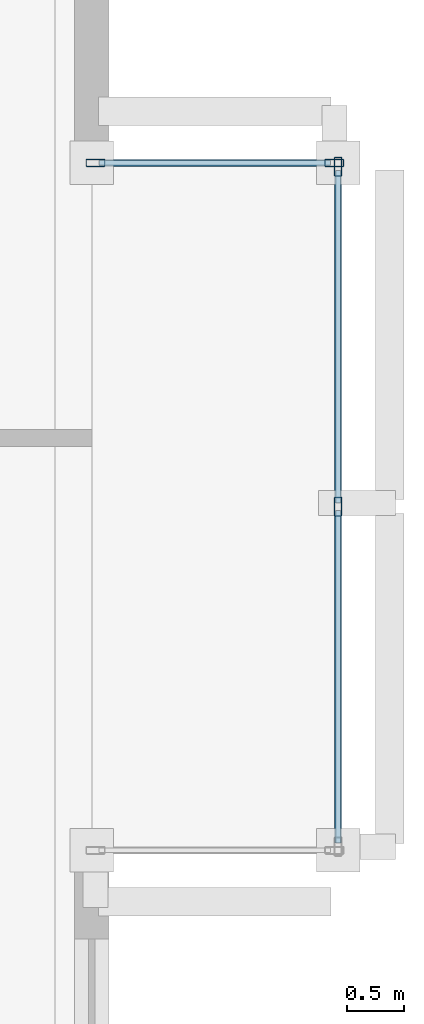
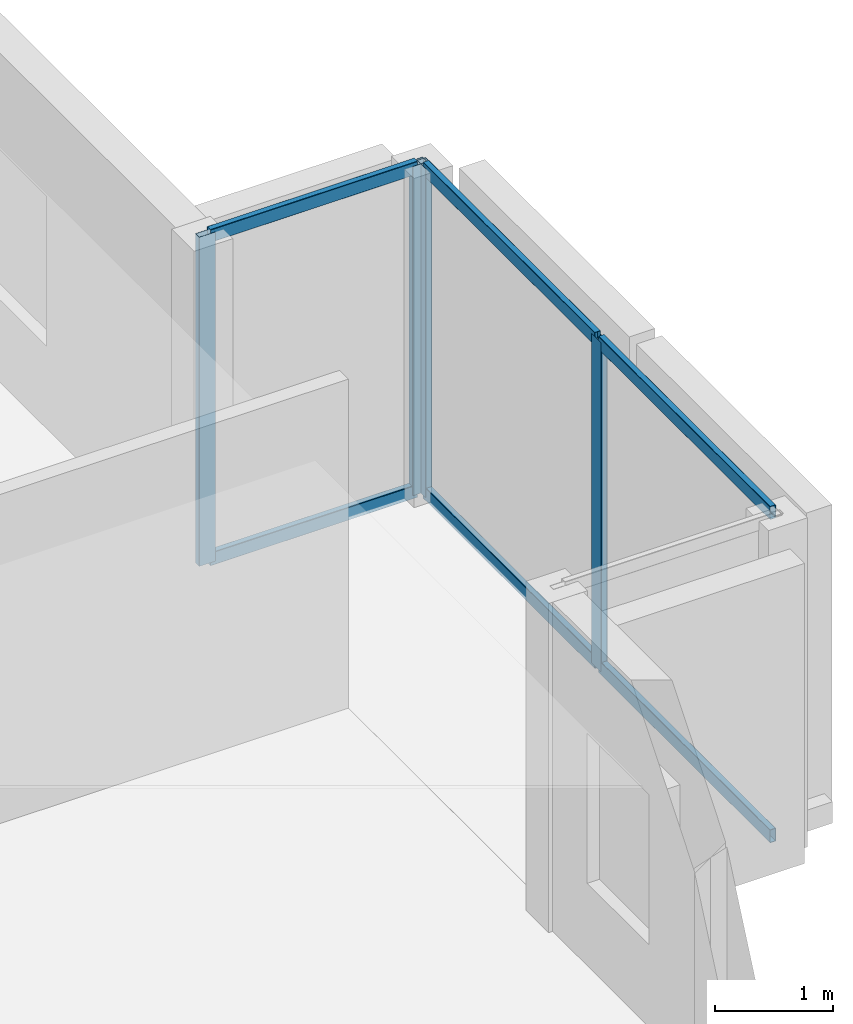
# One storey, part 7 of 16: 10 members, 2 elements without a shape of their own.
"""IFC4 building model written with IfcOpenShell, lengths in metres."""

from ifc_helpers import new_model, si_unit, direction, frame, origin, origin_2d, place, context, subcontext, project, spatial, hollow_rectangle, extrude, material, layer, layer_set, material_profile, profile_set, type_object, element, aggregate, save


model = new_model("IFC4")

# Units and contexts
model_context = context("Model", 3, precision=1e-05, world=origin(), true_north=direction((0.0, 1.0)))
body_context = subcontext(model_context, "Body", "Model", "MODEL_VIEW")
ifc_project = project(units=[si_unit("LENGTHUNIT", "METRE"), si_unit("AREAUNIT", "SQUARE_METRE"), si_unit("VOLUMEUNIT", "CUBIC_METRE"), si_unit("PLANEANGLEUNIT", "RADIAN"), si_unit("MASSUNIT", "GRAM", prefix="KILO")], contexts=[model_context])

# Site, building, storey
site_placement = place(None, origin())
site = spatial("IfcSite", under=ifc_project, at=site_placement, CompositionType="ELEMENT")
building_placement = place(site_placement, origin())
building = spatial("IfcBuilding", under=site, at=building_placement, Name="An Khanh Terracotta Commons", CompositionType="ELEMENT")
storey_placement = place(building_placement, frame((0.0, 0.0, 172.60009765625)))
storey = spatial("IfcBuildingStorey", under=building, at=storey_placement, Name="L45", CompositionType="ELEMENT", Elevation=172.60009765625)

# Curtain wall, members
ifc_material = material(Name="Anodised Aluminium 6063-T6", Category="aluminium")
ifc_layer = layer(ifc_material, 0.239990234375, Name="Anodised Aluminium 6063-T6")
ifc_layer_set = layer_set([ifc_layer], Name="Anodised Aluminium 6063-T6")
curtain_wall_type = type_object("IfcCurtainWallType", Name="CW-SYS-04", PredefinedType="USERDEFINED", material=ifc_layer_set)
curtain_wall_1_placement = place(storey_placement, origin())
curtain_wall_1 = element("IfcCurtainWall", 1, at=curtain_wall_1_placement, inside=storey, type_object=curtain_wall_type, Name="L45 CW-04 Unitised Curtain Wall CW-L45-EBOX-1", ObjectType="UNITISED CURTAIN WALL", PredefinedType="USERDEFINED")
ifc_material_profile_1 = material_profile(ifc_material, hollow_rectangle(XDim=0.06494140625, YDim=0.1650390625, WallThickness=0.00390625, InnerFilletRadius=0.00390625, OuterFilletRadius=0.008056640625, at=origin_2d()), Name="RHS165x65x4")
ifc_profile_set_1 = profile_set([ifc_material_profile_1], Name="Anodised Aluminium 6063-T6")
member_type_1 = type_object("IfcMemberType", Name="CWM-RHS165x65x4", PredefinedType="MULLION", material=ifc_profile_set_1)
member_1_placement = place(storey_placement, frame((65.14990234375, 22.39990234375, 0.0), z_axis=(0.0, 0.0, 1.0), x_axis=(-1.0, 0.0, 0.0)))
member_1 = element("IfcMember", 2, at=member_1_placement, type_object=member_type_1, Name="CW-04 mullion 2", PredefinedType="MULLION", context=body_context, shape_type="SweptSolid", body=[
    extrude(hollow_rectangle(XDim=0.06494140625, YDim=0.1650390625, WallThickness=0.00390625, InnerFilletRadius=0.00390625, OuterFilletRadius=0.008056640625, at=origin_2d()), origin(), (0.0, 0.0, 1.0), 3.39990234375),
])
member_2_placement = place(storey_placement, frame((65.14990234375, 25.367431640625, 0.0), z_axis=(0.0, 0.0, 1.0), x_axis=(-1.0, 0.0, 0.0)))
member_2 = element("IfcMember", 3, at=member_2_placement, type_object=member_type_1, Name="CW-04 mullion 3", PredefinedType="MULLION", context=body_context, shape_type="SweptSolid", body=[
    extrude(hollow_rectangle(XDim=0.06494140625, YDim=0.1650390625, WallThickness=0.00390625, InnerFilletRadius=0.00390625, OuterFilletRadius=0.008056640625, at=origin_2d()), origin(), (0.0, 0.0, 1.0), 3.39990234375),
])

curtain_wall_2_placement = place(storey_placement, origin())
curtain_wall_2 = element("IfcCurtainWall", 4, at=curtain_wall_2_placement, inside=storey, type_object=curtain_wall_type, Name="L45 CW-04 Unitised Curtain Wall CW-L45-EBOX-3", ObjectType="UNITISED CURTAIN WALL", PredefinedType="USERDEFINED")
member_3_placement = place(storey_placement, frame((65.117431640625, 25.39990234375, 0.0), z_axis=(0.0, 0.0, 1.0), x_axis=(0.0, -1.0, 0.0)))
member_3 = element("IfcMember", 5, at=member_3_placement, type_object=member_type_1, Name="CW-04 mullion 1", PredefinedType="MULLION", context=body_context, shape_type="SweptSolid", body=[
    extrude(hollow_rectangle(XDim=0.06494140625, YDim=0.1650390625, WallThickness=0.00390625, InnerFilletRadius=0.00390625, OuterFilletRadius=0.008056640625, at=origin_2d()), origin(), (0.0, 0.0, 1.0), 3.39990234375),
])
member_4_placement = place(storey_placement, frame((63.032470703125, 25.39990234375, 0.0), z_axis=(0.0, 0.0, 1.0), x_axis=(0.0, -1.0, 0.0)))
member_4 = element("IfcMember", 6, at=member_4_placement, type_object=member_type_1, Name="CW-04 mullion 2", PredefinedType="MULLION", context=body_context, shape_type="SweptSolid", body=[
    extrude(hollow_rectangle(XDim=0.06494140625, YDim=0.1650390625, WallThickness=0.00390625, InnerFilletRadius=0.00390625, OuterFilletRadius=0.008056640625, at=origin_2d()), origin(), (0.0, 0.0, 1.0), 3.39990234375),
])

# Member
ifc_material_profile_2 = material_profile(ifc_material, hollow_rectangle(XDim=0.06005859375, YDim=0.135009765625, WallThickness=0.003662109375, InnerFilletRadius=0.003662109375, OuterFilletRadius=0.007080078125, at=origin_2d()), Name="RHS135x60x3.6")
ifc_profile_set_2 = profile_set([ifc_material_profile_2], Name="Anodised Aluminium 6063-T6")
member_type_2 = type_object("IfcMemberType", Name="CWT-RHS135x60x3.6", PredefinedType="USERDEFINED", material=ifc_profile_set_2)
member_5_placement = place(storey_placement, frame((65.14990234375, 19.465087890625, 0.02978515625), z_axis=(0.0, 1.0, 0.0), x_axis=(-1.0, 0.0, 0.0)))
member_5 = element("IfcMember", 7, at=member_5_placement, type_object=member_type_2, Name="CW-04 transom 1.1", ObjectType="TRANSOM", PredefinedType="USERDEFINED", context=body_context, shape_type="SweptSolid", body=[
    extrude(hollow_rectangle(XDim=0.06005859375, YDim=0.135009765625, WallThickness=0.003662109375, InnerFilletRadius=0.003662109375, OuterFilletRadius=0.007080078125, at=origin_2d()), origin(), (0.0, 0.0, 1.0), 2.90234375),
])

member_6_placement = place(storey_placement, frame((65.14990234375, 19.465087890625, 3.369873046875), z_axis=(0.0, 1.0, 0.0), x_axis=(-1.0, 0.0, 0.0)))
member_6 = element("IfcMember", 8, at=member_6_placement, type_object=member_type_2, Name="CW-04 transom 1.2", ObjectType="TRANSOM", PredefinedType="USERDEFINED", context=body_context, shape_type="SweptSolid", body=[
    extrude(hollow_rectangle(XDim=0.06005859375, YDim=0.135009765625, WallThickness=0.003662109375, InnerFilletRadius=0.003662109375, OuterFilletRadius=0.007080078125, at=origin_2d()), origin(), (0.0, 0.0, 1.0), 2.90234375),
])

member_7_placement = place(storey_placement, frame((65.14990234375, 22.4326171875, 0.02978515625), z_axis=(0.0, 1.0, 0.0), x_axis=(-1.0, 0.0, 0.0)))
member_7 = element("IfcMember", 9, at=member_7_placement, type_object=member_type_2, Name="CW-04 transom 2.1", ObjectType="TRANSOM", PredefinedType="USERDEFINED", context=body_context, shape_type="SweptSolid", body=[
    extrude(hollow_rectangle(XDim=0.06005859375, YDim=0.135009765625, WallThickness=0.003662109375, InnerFilletRadius=0.003662109375, OuterFilletRadius=0.007080078125, at=origin_2d()), origin(), (0.0, 0.0, 1.0), 2.90234375),
])

member_8_placement = place(storey_placement, frame((65.14990234375, 22.4326171875, 3.369873046875), z_axis=(0.0, 1.0, 0.0), x_axis=(-1.0, 0.0, 0.0)))
member_8 = element("IfcMember", 10, at=member_8_placement, type_object=member_type_2, Name="CW-04 transom 2.2", ObjectType="TRANSOM", PredefinedType="USERDEFINED", context=body_context, shape_type="SweptSolid", body=[
    extrude(hollow_rectangle(XDim=0.06005859375, YDim=0.135009765625, WallThickness=0.003662109375, InnerFilletRadius=0.003662109375, OuterFilletRadius=0.007080078125, at=origin_2d()), origin(), (0.0, 0.0, 1.0), 2.90234375),
])

aggregate(curtain_wall_1, [member_1, member_2, member_5, member_6, member_7, member_8])

member_9_placement = place(storey_placement, frame((65.0849609375, 25.39990234375, 0.02978515625), z_axis=(-1.0, 0.0, 0.0), x_axis=(0.0, -1.0, 0.0)))
member_9 = element("IfcMember", 11, at=member_9_placement, type_object=member_type_2, Name="CW-04 transom 1.1", ObjectType="TRANSOM", PredefinedType="USERDEFINED", context=body_context, shape_type="SweptSolid", body=[
    extrude(hollow_rectangle(XDim=0.06005859375, YDim=0.135009765625, WallThickness=0.003662109375, InnerFilletRadius=0.003662109375, OuterFilletRadius=0.007080078125, at=origin_2d()), origin(), (0.0, 0.0, 1.0), 2.02001953125),
])

member_10_placement = place(storey_placement, frame((65.0849609375, 25.39990234375, 3.369873046875), z_axis=(-1.0, 0.0, 0.0), x_axis=(0.0, -1.0, 0.0)))
member_10 = element("IfcMember", 12, at=member_10_placement, type_object=member_type_2, Name="CW-04 transom 1.2", ObjectType="TRANSOM", PredefinedType="USERDEFINED", context=body_context, shape_type="SweptSolid", body=[
    extrude(hollow_rectangle(XDim=0.06005859375, YDim=0.135009765625, WallThickness=0.003662109375, InnerFilletRadius=0.003662109375, OuterFilletRadius=0.007080078125, at=origin_2d()), origin(), (0.0, 0.0, 1.0), 2.02001953125),
])

aggregate(curtain_wall_2, [member_3, member_4, member_9, member_10])

save(model, "model.ifc")
